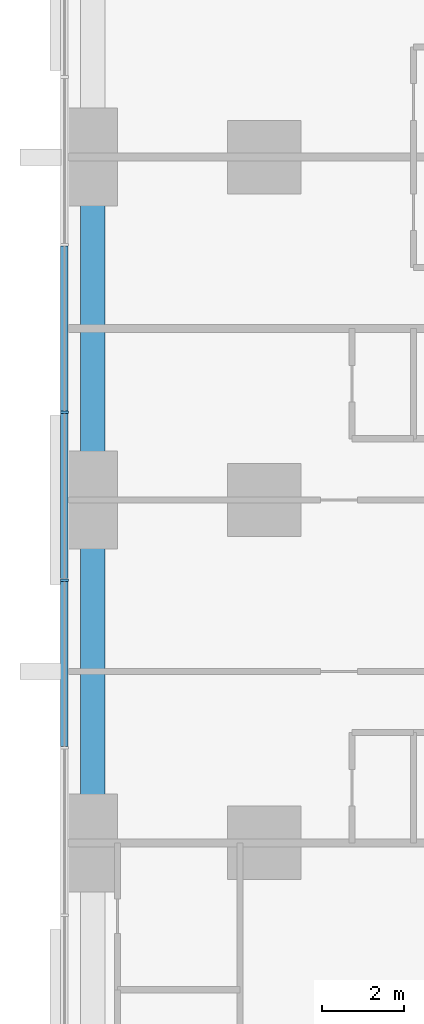
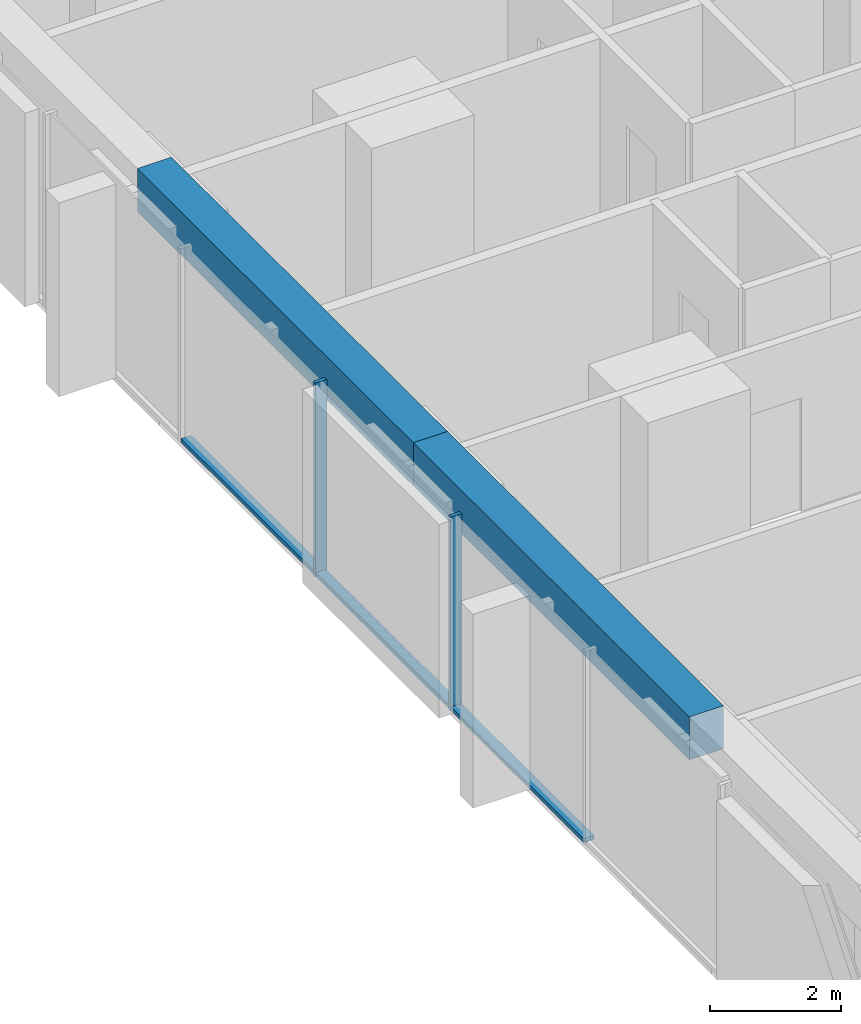
# One storey, part 3 of 17: 5 members, 2 beams, 1 element without a shape of its own.
"""IFC4 building model written with IfcOpenShell, lengths in metres."""

from ifc_helpers import new_model, si_unit, direction, frame, origin, origin_2d, place, context, subcontext, project, spatial, rectangle, extrude, material, material_profile, profile_set, type_object, element, aggregate, save


model = new_model("IFC4")

# Units and contexts
model_context = context("Model", 3, precision=1e-05, world=origin(), true_north=direction((0.0, 1.0)))
body_context = subcontext(model_context, "Body", "Model", "MODEL_VIEW")
ifc_project = project(units=[si_unit("LENGTHUNIT", "METRE"), si_unit("AREAUNIT", "SQUARE_METRE"), si_unit("VOLUMEUNIT", "CUBIC_METRE"), si_unit("PLANEANGLEUNIT", "RADIAN"), si_unit("MASSUNIT", "GRAM", prefix="KILO")], contexts=[model_context])

# Site, building, storey
site_placement = place(None, origin())
site = spatial("IfcSite", under=ifc_project, at=site_placement, CompositionType="ELEMENT")
building_placement = place(site_placement, origin())
building = spatial("IfcBuilding", under=site, at=building_placement, Name="Dunama Terrace Hotel", CompositionType="ELEMENT")
storey_placement = place(building_placement, frame((0.0, 0.0, 34.199951171875)))
storey = spatial("IfcBuildingStorey", under=building, at=storey_placement, Name="L07", CompositionType="ELEMENT", Elevation=34.199951171875)

# Curtain wall, members
ifc_material_1 = material(Name="Aluminium curtain wall system", Category="aluminium")
curtain_wall_type = type_object("IfcCurtainWallType", Name="Unitised fritted glass wall CW-A", PredefinedType="NOTDEFINED", material=ifc_material_1)
curtain_wall_placement = place(storey_placement, origin())
curtain_wall = element("IfcCurtainWall", 1, at=curtain_wall_placement, inside=storey, type_object=curtain_wall_type, Name="Unitised fritted glass wall CW-A L07", PredefinedType="NOTDEFINED")
ifc_material_2 = material(Name="Aluminium mullion", Category="aluminium")
ifc_material_profile_1 = material_profile(ifc_material_2, rectangle(XDim=0.06494140625, YDim=0.199951171875, at=origin_2d()), Name="CWA MULLION 65X200")
ifc_profile_set_1 = profile_set([ifc_material_profile_1], Name="Aluminium mullion")
member_type_1 = type_object("IfcMemberType", Name="CWA mullion 65x200", PredefinedType="MULLION", material=ifc_profile_set_1)
member_1_placement = place(storey_placement, frame((-0.10009765625, 27.345947265625, 0.0), z_axis=(0.0, 0.0, 1.0), x_axis=(0.0, -1.0, 0.0)))
member_1 = element("IfcMember", 2, at=member_1_placement, type_object=member_type_1, Name="CWA mullion", PredefinedType="MULLION", context=body_context, shape_type="SweptSolid", body=[
    extrude(rectangle(XDim=0.06494140625, YDim=0.199951171875, at=origin_2d()), origin(), (0.0, 0.0, 1.0), 3.60009765625),
])
member_2_placement = place(storey_placement, frame((-0.10009765625, 23.238037109375, 0.0), z_axis=(0.0, 0.0, 1.0), x_axis=(0.0, -1.0, 0.0)))
member_2 = element("IfcMember", 3, at=member_2_placement, type_object=member_type_1, Name="CWA mullion", PredefinedType="MULLION", context=body_context, shape_type="SweptSolid", body=[
    extrude(rectangle(XDim=0.06494140625, YDim=0.199951171875, at=origin_2d()), origin(), (0.0, 0.0, 1.0), 3.60009765625),
])
ifc_material_3 = material(Name="Aluminium transom", Category="aluminium")
ifc_material_profile_2 = material_profile(ifc_material_3, rectangle(XDim=0.179931640625, YDim=0.074951171875, at=origin_2d()), Name="CWA TRANSOM 180X75")
ifc_profile_set_2 = profile_set([ifc_material_profile_2], Name="Aluminium transom")
member_type_2 = type_object("IfcMemberType", Name="CWA transom 180x75", PredefinedType="USERDEFINED", material=ifc_profile_set_2)
member_3_placement = place(storey_placement, frame((-0.10009765625, 31.4208984375, 0.03759765625), z_axis=(0.0, -1.0, 0.0), x_axis=(1.0, 0.0, 0.0)))
member_3 = element("IfcMember", 4, at=member_3_placement, type_object=member_type_2, Name="CWA transom", ObjectType="TRANSOM", PredefinedType="USERDEFINED", context=body_context, shape_type="SweptSolid", body=[
    extrude(rectangle(XDim=0.179931640625, YDim=0.074951171875, at=origin_2d()), origin(), (0.0, 0.0, 1.0), 4.0419921875),
])
member_4_placement = place(storey_placement, frame((-0.10009765625, 27.31396484375, 0.03759765625), z_axis=(0.0, -1.0, 0.0), x_axis=(1.0, 0.0, 0.0)))
member_4 = element("IfcMember", 5, at=member_4_placement, type_object=member_type_2, Name="CWA transom", ObjectType="TRANSOM", PredefinedType="USERDEFINED", context=body_context, shape_type="SweptSolid", body=[
    extrude(rectangle(XDim=0.179931640625, YDim=0.074951171875, at=origin_2d()), origin(), (0.0, 0.0, 1.0), 4.04296875),
])
member_5_placement = place(storey_placement, frame((-0.10009765625, 23.2060546875, 0.03759765625), z_axis=(0.0, -1.0, 0.0), x_axis=(1.0, 0.0, 0.0)))
member_5 = element("IfcMember", 6, at=member_5_placement, type_object=member_type_2, Name="CWA transom", ObjectType="TRANSOM", PredefinedType="USERDEFINED", context=body_context, shape_type="SweptSolid", body=[
    extrude(rectangle(XDim=0.179931640625, YDim=0.074951171875, at=origin_2d()), origin(), (0.0, 0.0, 1.0), 4.04296875),
])
aggregate(curtain_wall, [member_1, member_2, member_3, member_4, member_5])

# Beams
ifc_material_4 = material(Name="Concrete C40/50", Category="concrete")
ifc_material_profile_3 = material_profile(ifc_material_4, rectangle(XDim=0.60009765625, YDim=0.800048828125, at=origin_2d()), Name="RC 600x800")
ifc_profile_set_3 = profile_set([ifc_material_profile_3], Name="Concrete C40/50")
beam_type = type_object("IfcBeamType", Name="Edge beam RC 600x800", PredefinedType="SPANDREL", material=ifc_profile_set_3)
beam_1_placement = place(storey_placement, frame((0.60009765625, 16.800048828125, 3.199951171875), z_axis=(0.0, 1.0, 0.0), x_axis=(-1.0, 0.0, 0.0)))
element("IfcBeam", 7, at=beam_1_placement, inside=storey, type_object=beam_type, Name="Edge beam under L08", PredefinedType="SPANDREL", context=body_context, shape_type="SweptSolid", body=[
    extrude(rectangle(XDim=0.60009765625, YDim=0.800048828125, at=origin_2d()), origin(), (0.0, 0.0, 1.0), 8.39990234375),
])
beam_2_placement = place(storey_placement, frame((0.60009765625, 25.199951171875, 3.199951171875), z_axis=(0.0, 1.0, 0.0), x_axis=(-1.0, 0.0, 0.0)))
element("IfcBeam", 8, at=beam_2_placement, inside=storey, type_object=beam_type, Name="Edge beam under L08", PredefinedType="SPANDREL", context=body_context, shape_type="SweptSolid", body=[
    extrude(rectangle(XDim=0.60009765625, YDim=0.800048828125, at=origin_2d()), origin(), (0.0, 0.0, 1.0), 8.400146484375),
])

save(model, "model.ifc")
